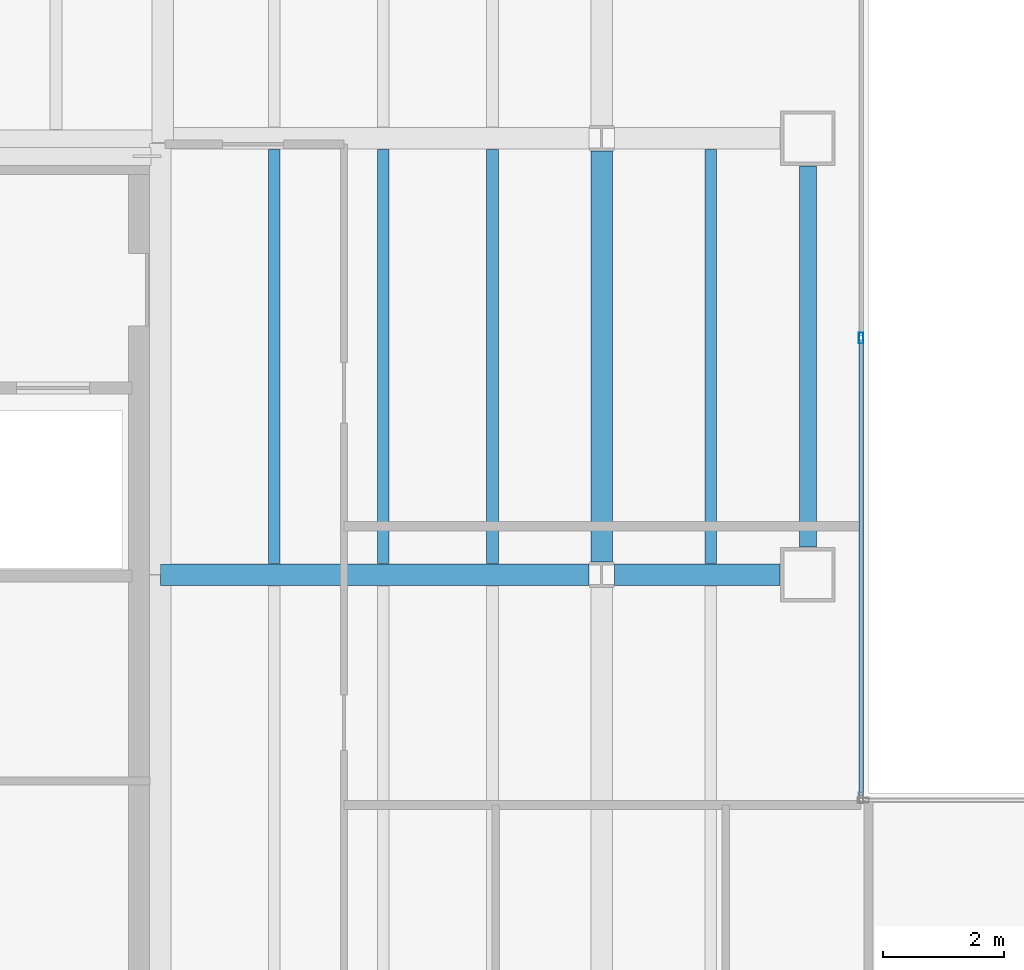
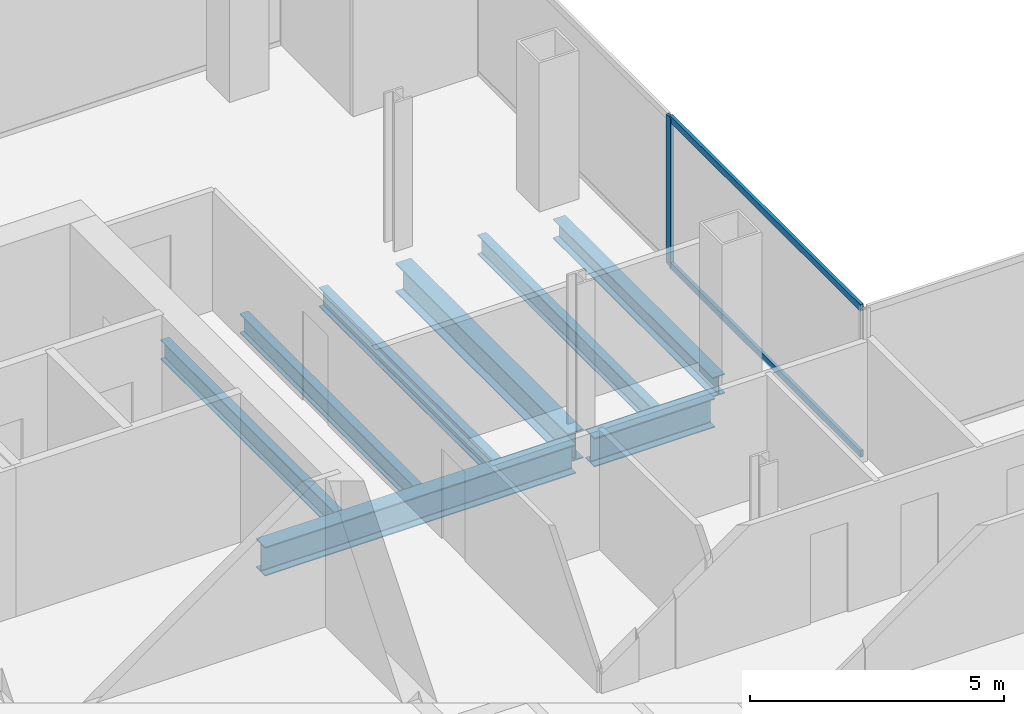
# One storey, part 8 of 23: 8 beams, 3 members, 1 element without a shape of its own.
"""IFC4 building model written with IfcOpenShell, lengths in metres."""

from ifc_helpers import new_model, si_unit, direction, frame, origin, origin_2d, place, context, subcontext, project, spatial, hollow_rectangle, i_section, extrude, material, material_profile, profile_set, type_object, element, aggregate, save


model = new_model("IFC4")

# Units and contexts
model_context = context("Model", 3, precision=1e-05, world=origin(), true_north=direction((0.0, 1.0)))
body_context = subcontext(model_context, "Body", "Model", "MODEL_VIEW")
ifc_project = project(units=[si_unit("LENGTHUNIT", "METRE"), si_unit("AREAUNIT", "SQUARE_METRE"), si_unit("VOLUMEUNIT", "CUBIC_METRE"), si_unit("PLANEANGLEUNIT", "RADIAN"), si_unit("MASSUNIT", "GRAM", prefix="KILO")], contexts=[model_context])

# Site, building, storey
site_placement = place(None, origin())
site = spatial("IfcSite", under=ifc_project, at=site_placement, CompositionType="ELEMENT")
building_placement = place(site_placement, origin())
building = spatial("IfcBuilding", under=site, at=building_placement, Name="Cobrela Telecom Tower", CompositionType="ELEMENT")
storey_placement = place(building_placement, frame((0.0, 0.0, 125.300048828125)))
storey = spatial("IfcBuildingStorey", under=building, at=storey_placement, Name="L31", CompositionType="ELEMENT", Elevation=125.300048828125)

# Beams
ifc_material_1 = material(Name="Steel ASTM A992 Grade 50", Category="steel")
ifc_material_profile_1 = material_profile(ifc_material_1, i_section(OverallWidth=0.35595703125, OverallDepth=0.696044921875, WebThickness=0.015380859375, FlangeThickness=0.024658203125, FilletRadius=0.01806640625, at=origin_2d()), Name="W27X146")
ifc_profile_set_1 = profile_set([ifc_material_profile_1], Name="Steel ASTM A992 Grade 50")
beam_type_1 = type_object("IfcBeamType", Name="BM-GIRD-05", PredefinedType="USERDEFINED", material=ifc_profile_set_1)
beam_1_placement = place(storey_placement, frame((14.324951171875, 28.800048828125, -0.6181640625), z_axis=(1.0, 0.0, 0.0), x_axis=(0.0, 1.0, 0.0)))
element("IfcBeam", 1, at=beam_1_placement, inside=storey, type_object=beam_type_1, Name="L31 Primary Girder X23", ObjectType="GIRDER", PredefinedType="USERDEFINED", context=body_context, shape_type="SweptSolid", body=[
    extrude(i_section(OverallWidth=0.35595703125, OverallDepth=0.696044921875, WebThickness=0.015380859375, FlangeThickness=0.024658203125, FilletRadius=0.01806640625, at=origin_2d()), origin(), (0.0, 0.0, 1.0), 7.0654296875),
])
beam_2_placement = place(storey_placement, frame((21.8095703125, 28.800048828125, -0.6181640625), z_axis=(1.0, 0.0, 0.0), x_axis=(0.0, 1.0, 0.0)))
element("IfcBeam", 2, at=beam_2_placement, inside=storey, type_object=beam_type_1, Name="L31 Primary Girder X24", ObjectType="GIRDER", PredefinedType="USERDEFINED", context=body_context, shape_type="SweptSolid", body=[
    extrude(i_section(OverallWidth=0.35595703125, OverallDepth=0.696044921875, WebThickness=0.015380859375, FlangeThickness=0.024658203125, FilletRadius=0.01806640625, at=origin_2d()), origin(), (0.0, 0.0, 1.0), 2.7353515625),
])
beam_3_placement = place(storey_placement, frame((21.60009765625, 29.009521484375, -0.6181640625), z_axis=(0.0, 1.0, 0.0), x_axis=(-1.0, 0.0, 0.0)))
element("IfcBeam", 3, at=beam_3_placement, inside=storey, type_object=beam_type_1, Name="L31 Primary Girder Y43", ObjectType="GIRDER", PredefinedType="USERDEFINED", context=body_context, shape_type="SweptSolid", body=[
    extrude(i_section(OverallWidth=0.35595703125, OverallDepth=0.696044921875, WebThickness=0.015380859375, FlangeThickness=0.024658203125, FilletRadius=0.01806640625, at=origin_2d()), origin(), (0.0, 0.0, 1.0), 6.781005859375),
])
ifc_material_profile_2 = material_profile(ifc_material_1, i_section(OverallWidth=0.193115234375, OverallDepth=0.467041015625, WebThickness=0.011474609375, FlangeThickness=0.01904296875, FilletRadius=0.012939453125, at=origin_2d()), Name="W18X65")
ifc_profile_set_2 = profile_set([ifc_material_profile_2], Name="Steel ASTM A992 Grade 50")
beam_type_2 = type_object("IfcBeamType", Name="BM-JOIST-03", PredefinedType="JOIST", material=ifc_profile_set_2)
for number, where, z_axis, x_axis, name in (
    (4, (16.199951171875, 28.98291015625, -0.503662109375), (0.0, 1.0, 0.0), (-1.0, 0.0, 0.0), "L31 Secondary Composite Floor Beam J07"),
    (5, (18.0, 28.98291015625, -0.503662109375), (0.0, 1.0, 0.0), (-1.0, 0.0, 0.0), "L31 Secondary Composite Floor Beam J12"),
    (6, (19.800048828125, 28.98291015625, -0.503662109375), (0.0, 1.0, 0.0), (-1.0, 0.0, 0.0), "L31 Secondary Composite Floor Beam J17"),
    (7, (23.39990234375, 28.98291015625, -0.503662109375), (0.0, 1.0, 0.0), (-1.0, 0.0, 0.0), "L31 Secondary Composite Floor Beam J22"),
):
    element("IfcBeam", number, at=place(storey_placement, frame(where, z_axis=z_axis, x_axis=x_axis)), inside=storey, type_object=beam_type_2, Name=name, PredefinedType="JOIST", context=body_context, shape_type="SweptSolid", body=[
        extrude(i_section(OverallWidth=0.193115234375, OverallDepth=0.467041015625, WebThickness=0.011474609375, FlangeThickness=0.01904296875, FilletRadius=0.012939453125, at=origin_2d()), origin(), (0.0, 0.0, 1.0), 6.833984375),
    ])
ifc_material_profile_3 = material_profile(ifc_material_1, i_section(OverallWidth=0.281982421875, OverallDepth=0.467041015625, WebThickness=0.01220703125, FlangeThickness=0.01953125, FilletRadius=0.012939453125, at=origin_2d()), Name="W18X86")
ifc_profile_set_3 = profile_set([ifc_material_profile_3], Name="Steel ASTM A992 Grade 50")
beam_type_3 = type_object("IfcBeamType", Name="BM-SPAND-04", PredefinedType="SPANDREL", material=ifc_profile_set_3)
beam_4_placement = place(storey_placement, frame((25.0, 29.2548828125, -0.503662109375), z_axis=(0.0, 1.0, 0.0), x_axis=(-1.0, 0.0, 0.0)))
element("IfcBeam", 8, at=beam_4_placement, inside=storey, type_object=beam_type_3, Name="L31 Perimeter Spandrel Y45", PredefinedType="SPANDREL", context=body_context, shape_type="SweptSolid", body=[
    extrude(i_section(OverallWidth=0.281982421875, OverallDepth=0.467041015625, WebThickness=0.01220703125, FlangeThickness=0.01953125, FilletRadius=0.012939453125, at=origin_2d()), origin(), (0.0, 0.0, 1.0), 6.2900390625),
])

# Curtain wall, members
ifc_material_2 = material(Name="Anodized Bronze Aluminium 6063-T6", Category="aluminium")
curtain_wall_type = type_object("IfcCurtainWallType", Name="CW-SYS-TEL", PredefinedType="USERDEFINED", material=ifc_material_2)
curtain_wall_placement = place(storey_placement, origin())
curtain_wall = element("IfcCurtainWall", 9, at=curtain_wall_placement, inside=storey, type_object=curtain_wall_type, Name="L31 Unitised Bronze Curtain Wall 10", ObjectType="UNITISED CURTAIN WALL", PredefinedType="USERDEFINED")
ifc_material_profile_4 = material_profile(ifc_material_2, hollow_rectangle(XDim=0.074951171875, YDim=0.179931640625, WallThickness=0.00390625, at=origin_2d()), Name="ALU 75x180x4")
ifc_profile_set_4 = profile_set([ifc_material_profile_4], Name="Anodized Bronze Aluminium 6063-T6")
member_type_1 = type_object("IfcMemberType", Name="CW-SYS-TEL-MUL", PredefinedType="MULLION", material=ifc_profile_set_4)
member_1_placement = place(storey_placement, frame((25.8798828125, 32.705078125, 0.0), z_axis=(0.0, 0.0, 1.0), x_axis=(1.0, 0.0, 0.0)))
member_1 = element("IfcMember", 10, at=member_1_placement, type_object=member_type_1, Name="CW-TEL mullion 2", PredefinedType="MULLION", context=body_context, shape_type="SweptSolid", body=[
    extrude(hollow_rectangle(XDim=0.074951171875, YDim=0.179931640625, WallThickness=0.00390625, at=origin_2d()), origin(), (0.0, 0.0, 1.0), 3.579833984375),
])
ifc_material_profile_5 = material_profile(ifc_material_2, hollow_rectangle(XDim=0.070068359375, YDim=0.159912109375, WallThickness=0.00390625, at=origin_2d()), Name="ALU 70x160x4")
ifc_profile_set_5 = profile_set([ifc_material_profile_5], Name="Anodized Bronze Aluminium 6063-T6")
member_type_2 = type_object("IfcMemberType", Name="CW-SYS-TEL-TRN", PredefinedType="USERDEFINED", material=ifc_profile_set_5)
member_2_placement = place(storey_placement, frame((25.8798828125, 32.66748046875, 0.034912109375), z_axis=(0.0, -1.0, 0.0), x_axis=(1.0, 0.0, 0.0)))
member_2 = element("IfcMember", 11, at=member_2_placement, type_object=member_type_2, Name="CW-TEL transom 2.1", ObjectType="TRANSOM", PredefinedType="USERDEFINED", context=body_context, shape_type="SweptSolid", body=[
    extrude(hollow_rectangle(XDim=0.070068359375, YDim=0.159912109375, WallThickness=0.00390625, at=origin_2d()), origin(), (0.0, 0.0, 1.0), 7.512451171875),
])
member_3_placement = place(storey_placement, frame((25.8798828125, 32.66748046875, 3.544921875), z_axis=(0.0, -1.0, 0.0), x_axis=(1.0, 0.0, 0.0)))
member_3 = element("IfcMember", 12, at=member_3_placement, type_object=member_type_2, Name="CW-TEL transom 2.2", ObjectType="TRANSOM", PredefinedType="USERDEFINED", context=body_context, shape_type="SweptSolid", body=[
    extrude(hollow_rectangle(XDim=0.070068359375, YDim=0.159912109375, WallThickness=0.00390625, at=origin_2d()), origin(), (0.0, 0.0, 1.0), 7.512451171875),
])
aggregate(curtain_wall, [member_1, member_2, member_3])

save(model, "model.ifc")
